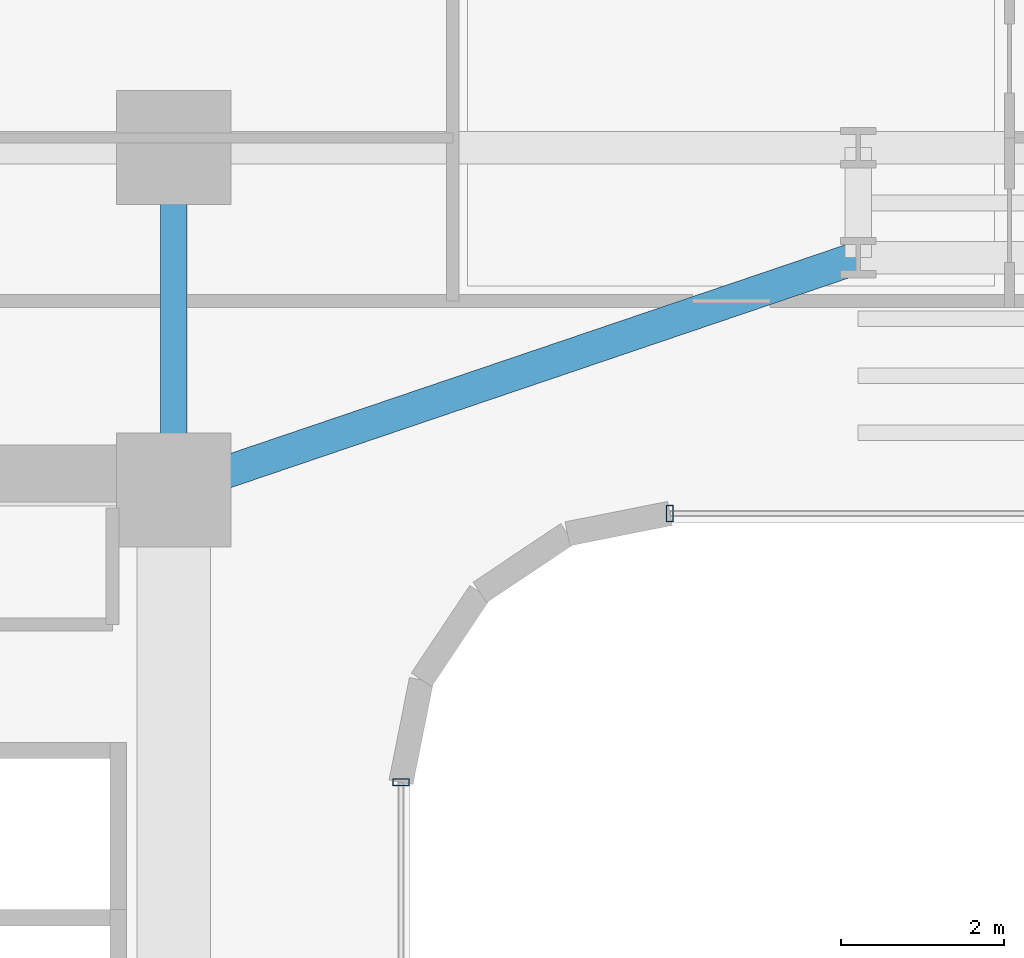
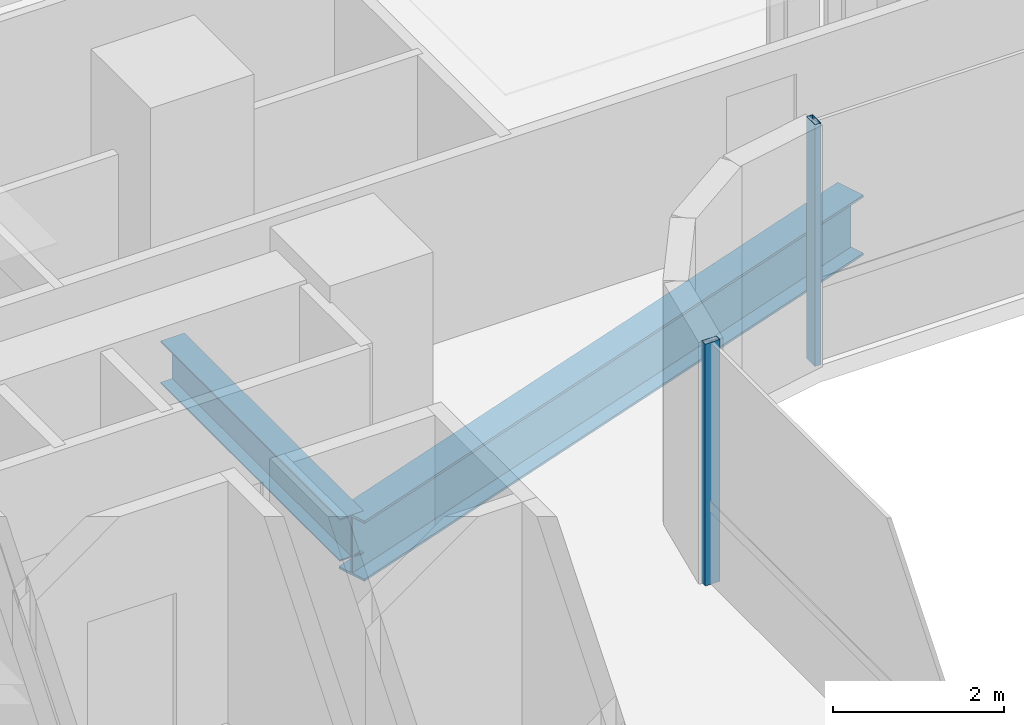
# One storey, part 12 of 41: 2 beams, 2 members, 2 elements without a shape of their own.
"""IFC4 building model written with IfcOpenShell, lengths in metres."""

from ifc_helpers import new_model, si_unit, direction, frame, origin, origin_2d, place, context, subcontext, project, spatial, hollow_rectangle, i_section, extrude, source, transform, mapped, material, material_profile, profile_set, type_object, element, aggregate, save


model = new_model("IFC4")

# Units and contexts
model_context = context("Model", 3, precision=1e-05, world=origin(), true_north=direction((0.0, 1.0)))
body_context = subcontext(model_context, "Body", "Model", "MODEL_VIEW")
ifc_project = project(units=[si_unit("LENGTHUNIT", "METRE"), si_unit("AREAUNIT", "SQUARE_METRE"), si_unit("VOLUMEUNIT", "CUBIC_METRE"), si_unit("PLANEANGLEUNIT", "RADIAN"), si_unit("MASSUNIT", "GRAM", prefix="KILO")], contexts=[model_context])

# Site, building, storey
site_placement = place(None, origin())
site = spatial("IfcSite", under=ifc_project, at=site_placement, CompositionType="ELEMENT")
building_placement = place(site_placement, origin())
building = spatial("IfcBuilding", under=site, at=building_placement, Name="Valdorenza Pilgrim Sanctuary Tower", CompositionType="ELEMENT")
storey_placement = place(building_placement, frame((0.0, 0.0, 59.300048828125)))
storey = spatial("IfcBuildingStorey", under=building, at=storey_placement, Name="L14", CompositionType="ELEMENT", Elevation=59.300048828125)

# Beams
ifc_material_1 = material(Name="Steel ASTM A992 Grade 50", Category="steel")
ifc_material_profile_1 = material_profile(ifc_material_1, i_section(OverallWidth=0.323974609375, OverallDepth=0.611083984375, WebThickness=0.0126953125, FlangeThickness=0.01904296875, at=origin_2d()), Name="W24X104")
ifc_profile_set_1 = profile_set([ifc_material_profile_1], Name="Steel ASTM A992 Grade 50")
beam_type_1 = type_object("IfcBeamType", Name="STR-BM-GRD-W24B", PredefinedType="BEAM", material=ifc_profile_set_1)
shared_shape_1 = source(origin(), body_context, "Body", "SweptSolid", [
    extrude(i_section(OverallWidth=0.323974609375, OverallDepth=0.611083984375, WebThickness=0.0126953125, FlangeThickness=0.01904296875, at=origin_2d()), origin(), (0.0, 0.0, 1.0), 4.199951171875),
])
beam_1_placement = place(storey_placement, frame((-12.39990234375, 10.60009765625, -0.545654296875), z_axis=(0.0, 1.0, 0.0), x_axis=(-1.0, 0.0, 0.0)))
element("IfcBeam", 1, at=beam_1_placement, inside=storey, type_object=beam_type_1, Name="L14 Core Tie Girder CA-E-N1N2", PredefinedType="BEAM", context=body_context, shape_type="MappedRepresentation", body=[
    mapped(shared_shape_1, transform((0.0, 0.0, 0.0), x_axis=(1.0, 0.0, 0.0), y_axis=(0.0, 1.0, 0.0), z_axis=(0.0, 0.0, 1.0), scale=1.0)),
])
ifc_material_profile_2 = material_profile(ifc_material_1, i_section(OverallWidth=0.39990234375, OverallDepth=0.862060546875, WebThickness=0.019775390625, FlangeThickness=0.032470703125, at=origin_2d()), Name="W33X221")
ifc_profile_set_2 = profile_set([ifc_material_profile_2], Name="Steel ASTM A992 Grade 50")
beam_type_2 = type_object("IfcBeamType", Name="STR-BM-GRD-W33", PredefinedType="BEAM", material=ifc_profile_set_2)
shared_shape_2 = source(origin(), body_context, "Body", "SweptSolid", [
    extrude(i_section(OverallWidth=0.39990234375, OverallDepth=0.862060546875, WebThickness=0.019775390625, FlangeThickness=0.032470703125, at=origin_2d()), origin(), (0.0, 0.0, 1.0), 8.8701171875),
])
beam_2_placement = place(storey_placement, frame((-12.39990234375, 10.60009765625, -0.671142578125), z_axis=(0.946982588361, 0.321284885018, 0.0), x_axis=(-0.321284885018, 0.946982588361, 0.0)))
element("IfcBeam", 2, at=beam_2_placement, inside=storey, type_object=beam_type_2, Name="L14 Floor Girder KNK-G1", PredefinedType="BEAM", context=body_context, shape_type="MappedRepresentation", body=[
    mapped(shared_shape_2, transform((0.0, 0.0, 0.0), x_axis=(1.0, 0.0, 0.0), y_axis=(0.0, 1.0, 0.0), z_axis=(0.0, 0.0, 1.0), scale=1.0)),
])

# Curtain wall, member
ifc_material_2 = material(Name="Curtain-wall IGU glazing", Category="glass")
curtain_wall_type = type_object("IfcCurtainWallType", Name="CW-SYS-02", PredefinedType="NOTDEFINED", material=ifc_material_2)
curtain_wall_1_placement = place(storey_placement, origin())
curtain_wall_1 = element("IfcCurtainWall", 3, at=curtain_wall_1_placement, inside=storey, type_object=curtain_wall_type, Name="L14 Curtain Wall CW-L14-1-36", PredefinedType="NOTDEFINED")
ifc_material_3 = material(Name="Anodised aluminium AW-6060", Category="aluminium")
ifc_material_profile_3 = material_profile(ifc_material_3, hollow_rectangle(XDim=0.0849609375, YDim=0.199951171875, WallThickness=0.0048828125, at=origin_2d()), Name="ALU-M 200x85x5")
ifc_profile_set_3 = profile_set([ifc_material_profile_3], Name="Anodised aluminium AW-6060")
member_type = type_object("IfcMemberType", Name="CW-MUL-02", PredefinedType="MULLION", material=ifc_profile_set_3)
shared_shape_3 = source(origin(), body_context, "Body", "SweptSolid", [
    extrude(hollow_rectangle(XDim=0.0849609375, YDim=0.199951171875, WallThickness=0.0048828125, at=origin_2d()), origin(), (0.0, 0.0, 1.0), 3.4599609375),
])
member_1_placement = place(storey_placement, frame((-6.310791015625, 10.31005859375, 0.0), z_axis=(0.0, 0.0, 1.0), x_axis=(-1.0, 0.0, 0.0)))
member_1 = element("IfcMember", 4, at=member_1_placement, type_object=member_type, Name="CW-L14-1-36 Mullion 4", PredefinedType="MULLION", context=body_context, shape_type="MappedRepresentation", body=[
    mapped(shared_shape_3, transform((0.0, 0.0, 0.0), x_axis=(1.0, 0.0, 0.0), y_axis=(0.0, 1.0, 0.0), z_axis=(0.0, 0.0, 1.0), scale=1.0)),
])
aggregate(curtain_wall_1, [member_1])

curtain_wall_2_placement = place(storey_placement, origin())
curtain_wall_2 = element("IfcCurtainWall", 5, at=curtain_wall_2_placement, inside=storey, type_object=curtain_wall_type, Name="L14 Curtain Wall CW-L14-1-41", PredefinedType="NOTDEFINED")
member_2_placement = place(storey_placement, frame((-9.610107421875, 7.0107421875, 0.0), z_axis=(0.0, 0.0, 1.0), x_axis=(0.0, -1.0, 0.0)))
member_2 = element("IfcMember", 6, at=member_2_placement, type_object=member_type, Name="CW-L14-1-41 Mullion 1", PredefinedType="MULLION", context=body_context, shape_type="MappedRepresentation", body=[
    mapped(shared_shape_3, transform((0.0, 0.0, 0.0), x_axis=(1.0, 0.0, 0.0), y_axis=(0.0, 1.0, 0.0), z_axis=(0.0, 0.0, 1.0), scale=1.0)),
])
aggregate(curtain_wall_2, [member_2])

save(model, "model.ifc")
